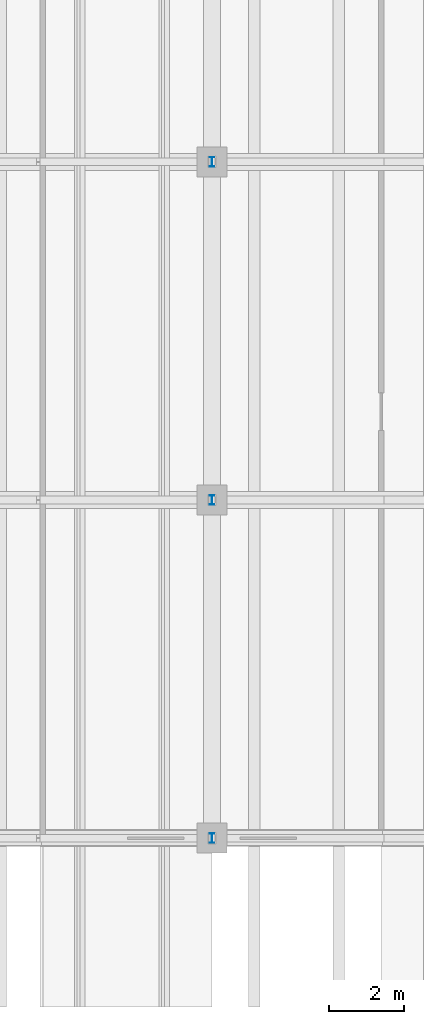
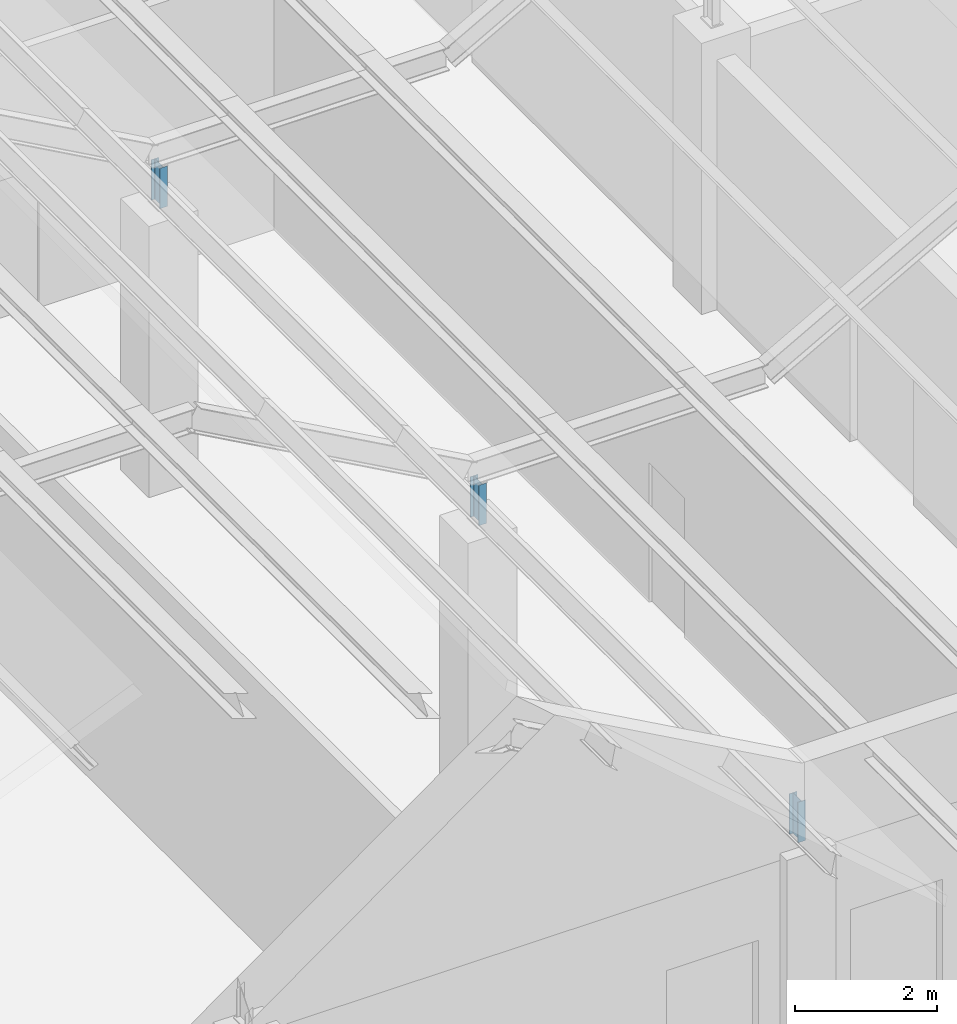
# One storey, part 222 of 437: 3 members.
"""IFC4 building model written with IfcOpenShell, lengths in metres."""

from ifc_helpers import new_model, si_unit, direction, frame, origin, origin_2d, place, context, subcontext, project, spatial, i_section, extrude, material, material_profile, profile_set, type_object, element, save


model = new_model("IFC4")

# Units and contexts
model_context = context("Model", 3, precision=1e-05, world=origin(), true_north=direction((0.0, 1.0)))
body_context = subcontext(model_context, "Body", "Model", "MODEL_VIEW")
ifc_project = project(units=[si_unit("LENGTHUNIT", "METRE"), si_unit("AREAUNIT", "SQUARE_METRE"), si_unit("VOLUMEUNIT", "CUBIC_METRE"), si_unit("PLANEANGLEUNIT", "RADIAN"), si_unit("MASSUNIT", "GRAM", prefix="KILO")], contexts=[model_context])

# Site, building, storey
site_placement = place(None, origin())
site = spatial("IfcSite", under=ifc_project, at=site_placement, CompositionType="ELEMENT")
building_placement = place(site_placement, origin())
building = spatial("IfcBuilding", under=site, at=building_placement, Name="Opaline Strait Convention Centre", CompositionType="ELEMENT")
storey_placement = place(building_placement, frame((0.0, 0.0, 11.5)))
storey = spatial("IfcBuildingStorey", under=building, at=storey_placement, Name="L02", CompositionType="ELEMENT", Elevation=11.5)

# Members
ifc_material = material(Name="Steel Q355B", Category="steel")
ifc_material_profile = material_profile(ifc_material, i_section(OverallWidth=0.125, OverallDepth=0.25, WebThickness=0.006103515625, FlangeThickness=0.009033203125, FilletRadius=0.008056640625, at=origin_2d()), Name="HN 250x125x6x9")
ifc_profile_set = profile_set([ifc_material_profile], Name="Steel Q355B")
member_type = type_object("IfcMemberType", Name="Roof post HN 250x125x6x9", PredefinedType="STRUT", material=ifc_profile_set)
for number, where, z_axis, x_axis, name in (
    (1, (54.0, 9.0, 4.68994140625), (0.0, 0.0, 1.0), (1.0, 0.0, 0.0), "RP1 roof post at 54/9"),
    (2, (54.0, 18.0, 4.68994140625), (0.0, 0.0, 1.0), (1.0, 0.0, 0.0), "RP1 roof post at 54/18"),
    (3, (54.0, 27.0, 4.68994140625), (0.0, 0.0, 1.0), (1.0, 0.0, 0.0), "RP1 roof post at 54/27"),
):
    element("IfcMember", number, at=place(storey_placement, frame(where, z_axis=z_axis, x_axis=x_axis)), inside=storey, type_object=member_type, Name=name, PredefinedType="STRUT", context=body_context, shape_type="SweptSolid", body=[
        extrude(i_section(OverallWidth=0.125, OverallDepth=0.25, WebThickness=0.006103515625, FlangeThickness=0.009033203125, FilletRadius=0.008056640625, at=origin_2d()), origin(), (0.0, 0.0, 1.0), 0.695068359375),
    ])

save(model, "model.ifc")
